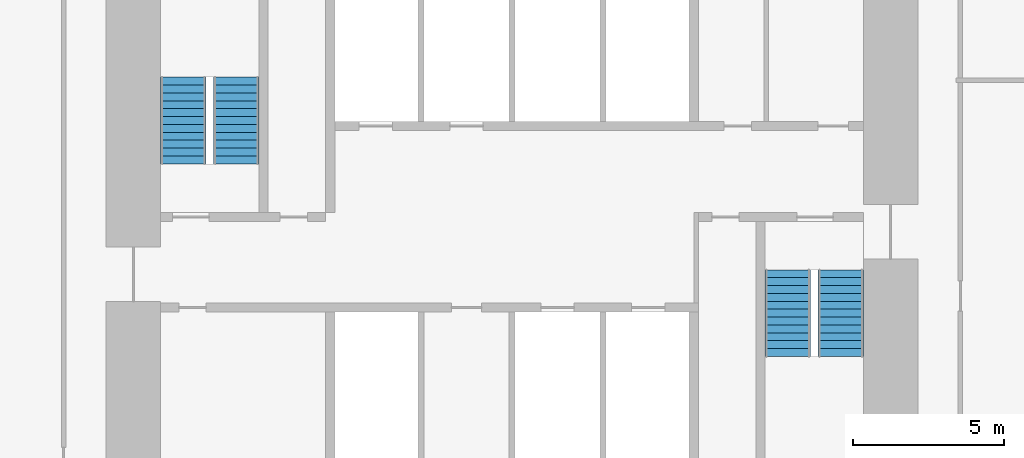
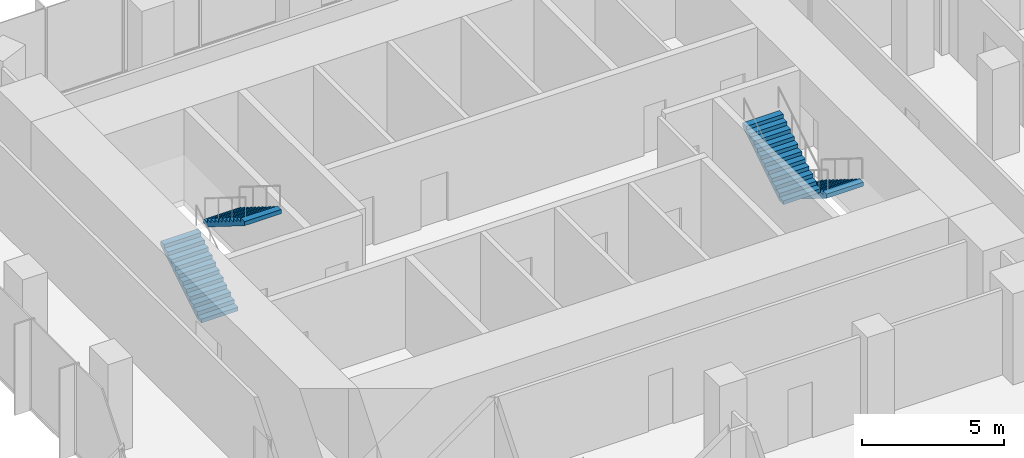
# One storey, part 10 of 11: 4 stair flights, 2 elements without a shape of their own.
"""IFC4 building model written with IfcOpenShell, lengths in metres."""

from ifc_helpers import new_model, si_unit, direction, frame, origin, place, context, subcontext, project, spatial, polyline, outline, extrude, material, type_object, element, aggregate, save


model = new_model("IFC4")

# Units and contexts
model_context = context("Model", 3, precision=1e-05, world=origin(), true_north=direction((0.0, 1.0)))
body_context = subcontext(model_context, "Body", "Model", "MODEL_VIEW")
ifc_project = project(units=[si_unit("LENGTHUNIT", "METRE"), si_unit("AREAUNIT", "SQUARE_METRE"), si_unit("VOLUMEUNIT", "CUBIC_METRE"), si_unit("PLANEANGLEUNIT", "RADIAN"), si_unit("MASSUNIT", "GRAM", prefix="KILO")], contexts=[model_context])

# Site, building, storey
site_placement = place(None, origin())
site = spatial("IfcSite", under=ifc_project, at=site_placement, CompositionType="ELEMENT")
building_placement = place(site_placement, origin())
building = spatial("IfcBuilding", under=site, at=building_placement, Name="Highveld Stack Headquarters", CompositionType="ELEMENT")
storey_placement = place(building_placement, frame((0.0, 0.0, 287.89990234375)))
storey = spatial("IfcBuildingStorey", under=building, at=storey_placement, Name="L71", CompositionType="ELEMENT", Elevation=287.89990234375)

# Stair, stair flights
ifc_material_1 = material(Name="Concrete C40/50, precast", Category="concrete")
stair_type_1 = type_object("IfcStairType", Name="STAIR S1 HALF TURN 1500", PredefinedType="HALF_TURN_STAIR", material=ifc_material_1)
stair_1_placement = place(storey_placement, origin())
stair_1 = element("IfcStair", 1, at=stair_1_placement, inside=storey, type_object=stair_type_1, Name="Stair S1 L71", PredefinedType="HALF_TURN_STAIR")
ifc_material_2 = material(Name="Concrete C40/50, precast", Category="concrete")
stair_flight_type = type_object("IfcStairFlightType", Name="STAIR FLIGHT 1500 PRECAST", PredefinedType="STRAIGHT", material=ifc_material_2)
stair_flight_1_placement = place(storey_placement, frame((-4.85009765625, 4.75, 0.0), z_axis=(0.0, 0.0, 1.0), x_axis=(0.0, 1.0, 0.0)))
stair_flight_1 = element("IfcStairFlight", 2, at=stair_flight_1_placement, type_object=stair_flight_type, Name="S1 flight 1", NumberOfRisers=12, NumberOfTreads=11, PredefinedType="STRAIGHT", RiserHeight=0.1625, TreadLength=0.26, context=body_context, shape_type="SweptSolid", body=[
    extrude(outline(polyline([(0.0, 0.0), (0.0, 0.16259765625), (0.260009765625, 0.16259765625), (0.260009765625, 0.324951171875), (0.52001953125, 0.324951171875), (0.52001953125, 0.487548828125), (0.780029296875, 0.487548828125), (0.780029296875, 0.64990234375), (1.0400390625, 0.64990234375), (1.0400390625, 0.8125), (1.300048828125, 0.8125), (1.300048828125, 0.97509765625), (1.56005859375, 0.97509765625), (1.56005859375, 1.137451171875), (1.820068359375, 1.137451171875), (1.820068359375, 1.300048828125), (2.080078125, 1.300048828125), (2.080078125, 1.46240234375), (2.340087890625, 1.46240234375), (2.340087890625, 1.625), (2.60009765625, 1.625), (2.60009765625, 1.78759765625), (2.860107421875, 1.78759765625), (2.860107421875, 1.949951171875), (2.860107421875, 1.61083984375), (0.28271484375, 0.0), (0.0, 0.0)])), frame((0.0, 0.75, 0.0), z_axis=(0.0, -1.0, 0.0), x_axis=(1.0, 0.0, 0.0)), (0.0, 0.0, 1.0), 1.5),
])
stair_flight_2_placement = place(storey_placement, frame((-3.10009765625, 7.610107421875, 1.9501953125), z_axis=(0.0, 0.0, 1.0), x_axis=(0.0, -1.0, 0.0)))
stair_flight_2 = element("IfcStairFlight", 3, at=stair_flight_2_placement, type_object=stair_flight_type, Name="S1 flight 2", NumberOfRisers=12, NumberOfTreads=11, PredefinedType="STRAIGHT", RiserHeight=0.1625, TreadLength=0.26, context=body_context, shape_type="SweptSolid", body=[
    extrude(outline(polyline([(0.0, 0.0), (0.0, 0.16259765625), (0.260009765625, 0.16259765625), (0.260009765625, 0.324951171875), (0.52001953125, 0.324951171875), (0.52001953125, 0.487548828125), (0.780029296875, 0.487548828125), (0.780029296875, 0.64990234375), (1.0400390625, 0.64990234375), (1.0400390625, 0.8125), (1.300048828125, 0.8125), (1.300048828125, 0.97509765625), (1.56005859375, 0.97509765625), (1.56005859375, 1.137451171875), (1.820068359375, 1.137451171875), (1.820068359375, 1.300048828125), (2.080078125, 1.300048828125), (2.080078125, 1.46240234375), (2.340087890625, 1.46240234375), (2.340087890625, 1.625), (2.60009765625, 1.625), (2.60009765625, 1.78759765625), (2.860107421875, 1.78759765625), (2.860107421875, 1.949951171875), (2.860107421875, 1.61083984375), (0.28271484375, 0.0), (0.0, 0.0)])), frame((0.0, 0.75, 0.0), z_axis=(0.0, -1.0, 0.0), x_axis=(1.0, 0.0, 0.0)), (0.0, 0.0, 1.0), 1.5),
])
aggregate(stair_1, [stair_flight_1, stair_flight_2])

ifc_material_3 = material(Name="Concrete C40/50, precast", Category="concrete")
stair_type_2 = type_object("IfcStairType", Name="STAIR S2 HALF TURN 1500", PredefinedType="HALF_TURN_STAIR", material=ifc_material_3)
stair_2_placement = place(storey_placement, origin())
stair_2 = element("IfcStair", 4, at=stair_2_placement, inside=storey, type_object=stair_type_2, Name="Stair S2 L71", PredefinedType="HALF_TURN_STAIR")
stair_flight_3_placement = place(storey_placement, frame((16.85009765625, 1.25, 0.0), z_axis=(0.0, 0.0, 1.0), x_axis=(0.0, -1.0, 0.0)))
stair_flight_3 = element("IfcStairFlight", 5, at=stair_flight_3_placement, type_object=stair_flight_type, Name="S2 flight 1", NumberOfRisers=12, NumberOfTreads=11, PredefinedType="STRAIGHT", RiserHeight=0.1625, TreadLength=0.26, context=body_context, shape_type="SweptSolid", body=[
    extrude(outline(polyline([(0.0, 0.0), (0.0, 0.16259765625), (0.260009765625, 0.16259765625), (0.260009765625, 0.324951171875), (0.52001953125, 0.324951171875), (0.52001953125, 0.487548828125), (0.780029296875, 0.487548828125), (0.780029296875, 0.64990234375), (1.0400390625, 0.64990234375), (1.0400390625, 0.8125), (1.300048828125, 0.8125), (1.300048828125, 0.97509765625), (1.56005859375, 0.97509765625), (1.56005859375, 1.137451171875), (1.820068359375, 1.137451171875), (1.820068359375, 1.300048828125), (2.080078125, 1.300048828125), (2.080078125, 1.46240234375), (2.340087890625, 1.46240234375), (2.340087890625, 1.625), (2.60009765625, 1.625), (2.60009765625, 1.78759765625), (2.860107421875, 1.78759765625), (2.860107421875, 1.949951171875), (2.860107421875, 1.61083984375), (0.28271484375, 0.0), (0.0, 0.0)])), frame((0.0, 0.75, 0.0), z_axis=(0.0, -1.0, 0.0), x_axis=(1.0, 0.0, 0.0)), (0.0, 0.0, 1.0), 1.5),
])
stair_flight_4_placement = place(storey_placement, frame((15.10009765625, -1.610107421875, 1.9501953125), z_axis=(0.0, 0.0, 1.0), x_axis=(0.0, 1.0, 0.0)))
stair_flight_4 = element("IfcStairFlight", 6, at=stair_flight_4_placement, type_object=stair_flight_type, Name="S2 flight 2", NumberOfRisers=12, NumberOfTreads=11, PredefinedType="STRAIGHT", RiserHeight=0.1625, TreadLength=0.26, context=body_context, shape_type="SweptSolid", body=[
    extrude(outline(polyline([(0.0, 0.0), (0.0, 0.16259765625), (0.260009765625, 0.16259765625), (0.260009765625, 0.324951171875), (0.52001953125, 0.324951171875), (0.52001953125, 0.487548828125), (0.780029296875, 0.487548828125), (0.780029296875, 0.64990234375), (1.0400390625, 0.64990234375), (1.0400390625, 0.8125), (1.300048828125, 0.8125), (1.300048828125, 0.97509765625), (1.56005859375, 0.97509765625), (1.56005859375, 1.137451171875), (1.820068359375, 1.137451171875), (1.820068359375, 1.300048828125), (2.080078125, 1.300048828125), (2.080078125, 1.46240234375), (2.340087890625, 1.46240234375), (2.340087890625, 1.625), (2.60009765625, 1.625), (2.60009765625, 1.78759765625), (2.860107421875, 1.78759765625), (2.860107421875, 1.949951171875), (2.860107421875, 1.61083984375), (0.28271484375, 0.0), (0.0, 0.0)])), frame((0.0, 0.75, 0.0), z_axis=(0.0, -1.0, 0.0), x_axis=(1.0, 0.0, 0.0)), (0.0, 0.0, 1.0), 1.5),
])
aggregate(stair_2, [stair_flight_3, stair_flight_4])

save(model, "model.ifc")
